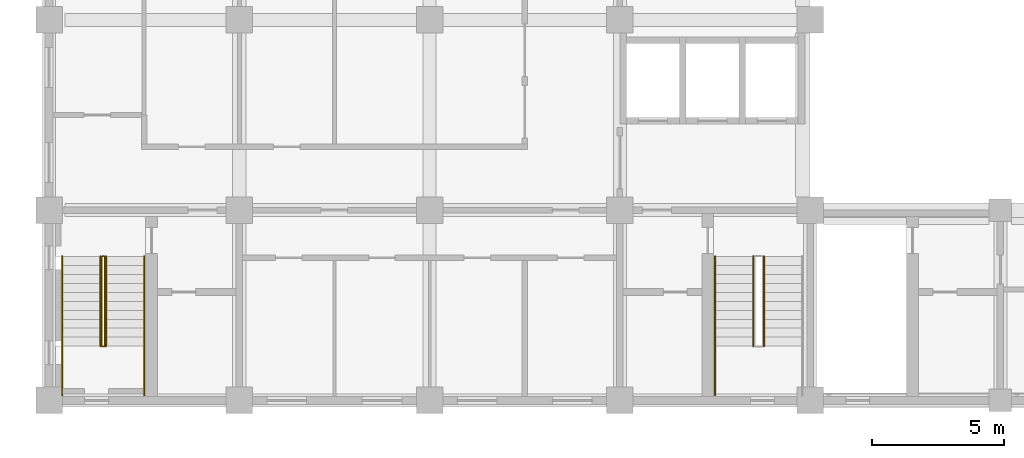
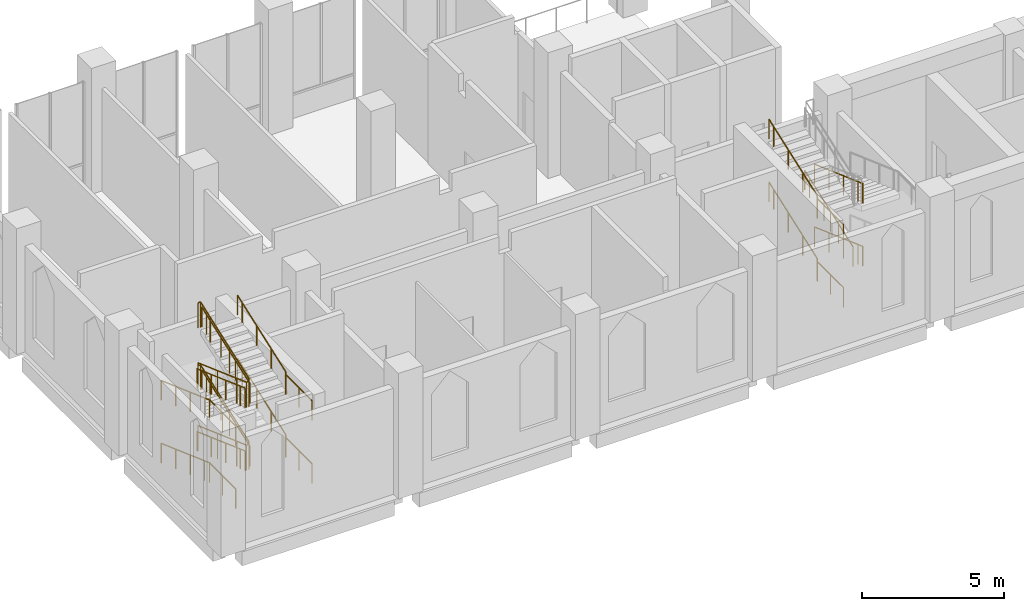
# One storey, part 44 of 48: 14 railings.
"""IFC4 building model written with IfcOpenShell, lengths in metres."""

from ifc_helpers import new_model, si_unit, direction, frame, origin, origin_2d, place, context, subcontext, project, spatial, circle, extrude, material, type_object, element, save


model = new_model("IFC4")

# Units and contexts
model_context = context("Model", 3, precision=1e-05, world=origin(), true_north=direction((0.0, 1.0)))
body_context = subcontext(model_context, "Body", "Model", "MODEL_VIEW")
ifc_project = project(units=[si_unit("LENGTHUNIT", "METRE"), si_unit("AREAUNIT", "SQUARE_METRE"), si_unit("VOLUMEUNIT", "CUBIC_METRE"), si_unit("PLANEANGLEUNIT", "RADIAN"), si_unit("MASSUNIT", "GRAM", prefix="KILO")], contexts=[model_context])

# Site, building, storey
site_placement = place(None, origin())
site = spatial("IfcSite", under=ifc_project, at=site_placement, CompositionType="ELEMENT")
building_placement = place(site_placement, origin())
building = spatial("IfcBuilding", under=site, at=building_placement, Name="Silangan Lancet Faculty of Sciences", CompositionType="ELEMENT")
storey_placement = place(building_placement, frame((0.0, 0.0, 6.0)))
storey = spatial("IfcBuildingStorey", under=building, at=storey_placement, Name="L01", CompositionType="ELEMENT", Elevation=6.0)

# Railings
ifc_material_1 = material(Name="Steel balustrade", Category="steel")
railing_type_1 = type_object("IfcRailingType", Name="STAIR GUARD 1100", PredefinedType="GUARDRAIL", material=ifc_material_1)
railing_1_placement = place(storey_placement, frame((2.0, 5.449951171875, 0.122802734375)))
element("IfcRailing", 1, at=railing_1_placement, inside=storey, type_object=railing_type_1, Name="GUARD-ST-A-L01", PredefinedType="GUARDRAIL", context=body_context, shape_type="SweptSolid", body=[
    extrude(circle(Radius=0.02392578125, at=origin_2d()), frame((0.0, 0.0, 1.076171875), z_axis=(0.0, -0.940611573742, 0.339484708555), x_axis=(1.0, 0.0, 0.0)), (0.0, 0.0, 1.0), 2.8916015625),
    extrude(circle(Radius=0.02392578125, at=origin_2d()), frame((0.0, -2.719970703125, 2.0576171875), z_axis=(0.0, -0.940520931127, 0.339735747474), x_axis=(1.0, 0.0, 0.0)), (0.0, 0.0, 1.0), 0.722900390625),
    extrude(circle(Radius=0.02392578125, at=origin_2d()), frame((0.0, -3.39990234375, 2.30322265625), z_axis=(1.0, 0.0, 0.0), x_axis=(0.0, 1.0, 0.0)), (0.0, 0.0, 1.0), 0.10009765625),
    extrude(circle(Radius=0.02392578125, at=origin_2d()), frame((0.10009765625, -3.39990234375, 2.30322265625), z_axis=(0.0, 0.0, 1.0), x_axis=(1.0, 0.0, 0.0)), (0.0, 0.0, 1.0), 0.12255859375),
    extrude(circle(Radius=0.02392578125, at=origin_2d()), frame((0.10009765625, -3.39990234375, 2.42578125), z_axis=(0.0, 0.940584611748, 0.339559402967), x_axis=(-1.0, 0.0, 0.0)), (0.0, 0.0, 1.0), 2.891845703125),
    extrude(circle(Radius=0.02392578125, at=origin_2d()), frame((0.10009765625, -0.679931640625, 3.40771484375), z_axis=(0.0, 0.940628803885, 0.339436965136), x_axis=(-1.0, 0.0, 0.0)), (0.0, 0.0, 1.0), 0.722900390625),
    extrude(circle(Radius=0.02392578125, at=origin_2d()), frame((0.10009765625, 0.0, 3.6533203125), z_axis=(-1.0, 0.0, 0.0), x_axis=(0.0, -1.0, 0.0)), (0.0, 0.0, 1.0), 0.10009765625),
    extrude(circle(Radius=0.02392578125, at=origin_2d()), frame((0.0, 0.0, 3.6533203125), z_axis=(0.0, 0.0, 1.0), x_axis=(1.0, 0.0, 0.0)), (0.0, 0.0, 1.0), 0.122802734375),
    extrude(circle(Radius=0.02392578125, at=origin_2d()), frame((0.0, 0.0, 3.77587890625), z_axis=(0.0, -0.940611573742, 0.339484708555), x_axis=(1.0, 0.0, 0.0)), (0.0, 0.0, 1.0), 2.8916015625),
    extrude(circle(Radius=0.02392578125, at=origin_2d()), frame((0.0, -2.719970703125, 4.7578125), z_axis=(0.0, -0.940520931127, 0.339735747474), x_axis=(1.0, 0.0, 0.0)), (0.0, 0.0, 1.0), 0.722900390625),
    extrude(circle(Radius=0.02392578125, at=origin_2d()), frame((0.0, -3.39990234375, 5.00341796875), z_axis=(1.0, 0.0, 0.0), x_axis=(0.0, 1.0, 0.0)), (0.0, 0.0, 1.0), 0.10009765625),
    extrude(circle(Radius=0.02392578125, at=origin_2d()), frame((0.10009765625, -3.39990234375, 5.00341796875), z_axis=(0.0, 0.0, 1.0), x_axis=(1.0, 0.0, 0.0)), (0.0, 0.0, 1.0), 0.12255859375),
    extrude(circle(Radius=0.02392578125, at=origin_2d()), frame((0.10009765625, -3.39990234375, 5.1259765625), z_axis=(0.0, 0.940584611748, 0.339559402967), x_axis=(-1.0, 0.0, 0.0)), (0.0, 0.0, 1.0), 2.891845703125),
    extrude(circle(Radius=0.02392578125, at=origin_2d()), frame((0.10009765625, -0.679931640625, 6.10791015625), z_axis=(0.0, 0.940628803885, 0.339436965136), x_axis=(-1.0, 0.0, 0.0)), (0.0, 0.0, 1.0), 0.722900390625),
    extrude(circle(Radius=0.02392578125, at=origin_2d()), frame((0.10009765625, 0.0, 6.35302734375), z_axis=(-1.0, 0.0, 0.0), x_axis=(0.0, -1.0, 0.0)), (0.0, 0.0, 1.0), 0.10009765625),
    extrude(circle(Radius=0.02099609375, at=origin_2d()), origin(), (0.0, 0.0, 1.0), 1.052001953125),
    extrude(circle(Radius=0.02099609375, at=origin_2d()), frame((0.0, -1.35986328125, 0.49072265625)), (0.0, 0.0, 1.0), 1.052001953125),
    extrude(circle(Radius=0.02099609375, at=origin_2d()), frame((0.0, -2.719970703125, 0.981689453125)), (0.0, 0.0, 1.0), 1.052001953125),
    extrude(circle(Radius=0.02099609375, at=origin_2d()), frame((0.0, -3.39990234375, 1.227294921875)), (0.0, 0.0, 1.0), 1.052001953125),
    extrude(circle(Radius=0.02099609375, at=origin_2d()), frame((0.10009765625, -3.39990234375, 1.227294921875)), (0.0, 0.0, 1.0), 1.052001953125),
    extrude(circle(Radius=0.02099609375, at=origin_2d()), frame((0.10009765625, -3.39990234375, 1.349853515625)), (0.0, 0.0, 1.0), 1.052001953125),
    extrude(circle(Radius=0.02099609375, at=origin_2d()), frame((0.10009765625, -2.0400390625, 1.8408203125)), (0.0, 0.0, 1.0), 1.052001953125),
    extrude(circle(Radius=0.02099609375, at=origin_2d()), frame((0.10009765625, -0.679931640625, 2.331787109375)), (0.0, 0.0, 1.0), 1.052001953125),
    extrude(circle(Radius=0.02099609375, at=origin_2d()), frame((0.10009765625, 0.0, 2.5771484375)), (0.0, 0.0, 1.0), 1.052001953125),
    extrude(circle(Radius=0.02099609375, at=origin_2d()), frame((0.0, 0.0, 2.5771484375)), (0.0, 0.0, 1.0), 1.052001953125),
    extrude(circle(Radius=0.02099609375, at=origin_2d()), frame((0.0, 0.0, 2.699951171875)), (0.0, 0.0, 1.0), 1.052001953125),
    extrude(circle(Radius=0.02099609375, at=origin_2d()), frame((0.0, -1.35986328125, 3.19091796875)), (0.0, 0.0, 1.0), 1.052001953125),
    extrude(circle(Radius=0.02099609375, at=origin_2d()), frame((0.0, -2.719970703125, 3.681640625)), (0.0, 0.0, 1.0), 1.052001953125),
    extrude(circle(Radius=0.02099609375, at=origin_2d()), frame((0.0, -3.39990234375, 3.92724609375)), (0.0, 0.0, 1.0), 1.052001953125),
    extrude(circle(Radius=0.02099609375, at=origin_2d()), frame((0.10009765625, -3.39990234375, 3.92724609375)), (0.0, 0.0, 1.0), 1.052001953125),
    extrude(circle(Radius=0.02099609375, at=origin_2d()), frame((0.10009765625, -3.39990234375, 4.0498046875)), (0.0, 0.0, 1.0), 1.052001953125),
    extrude(circle(Radius=0.02099609375, at=origin_2d()), frame((0.10009765625, -2.0400390625, 4.540771484375)), (0.0, 0.0, 1.0), 1.052001953125),
    extrude(circle(Radius=0.02099609375, at=origin_2d()), frame((0.10009765625, -0.679931640625, 5.03173828125)), (0.0, 0.0, 1.0), 1.052001953125),
    extrude(circle(Radius=0.02099609375, at=origin_2d()), frame((0.10009765625, 0.0, 5.277099609375)), (0.0, 0.0, 1.0), 1.052001953125),
    extrude(circle(Radius=0.02099609375, at=origin_2d()), frame((0.0, 0.0, 5.277099609375)), (0.0, 0.0, 1.0), 1.052001953125),
])
ifc_material_2 = material(Name="Stainless steel", Category="steel")
railing_type_2 = type_object("IfcRailingType", Name="STAIR HANDRAIL 865", PredefinedType="HANDRAIL", material=ifc_material_2)
railing_2_placement = place(storey_placement, frame((0.5, 5.449951171875, 0.122802734375)))
element("IfcRailing", 2, at=railing_2_placement, inside=storey, type_object=railing_type_2, Name="HANDRAIL-ST-A-L01-O1", PredefinedType="HANDRAIL", context=body_context, shape_type="SweptSolid", body=[
    extrude(circle(Radius=0.02392578125, at=origin_2d()), frame((0.0, 0.0, 0.8408203125), z_axis=(0.0, -0.94060583065, 0.339500620541), x_axis=(1.0, 0.0, 0.0)), (0.0, 0.0, 1.0), 1.08447265625),
    extrude(circle(Radius=0.02392578125, at=origin_2d()), frame((0.0, -1.02001953125, 1.208984375), z_axis=(0.0, -0.94060583065, 0.339500620541), x_axis=(1.0, 0.0, 0.0)), (0.0, 0.0, 1.0), 1.08447265625),
    extrude(circle(Radius=0.02392578125, at=origin_2d()), frame((0.0, -2.0400390625, 1.5771484375), z_axis=(0.0, -0.94060583065, 0.339500620541), x_axis=(1.0, 0.0, 0.0)), (0.0, 0.0, 1.0), 1.08447265625),
    extrude(circle(Radius=0.02392578125, at=origin_2d()), frame((0.0, -3.06005859375, 1.9453125), z_axis=(0.0, -0.940481933992, 0.339843687355), x_axis=(1.0, 0.0, 0.0)), (0.0, 0.0, 1.0), 0.361328125),
    extrude(circle(Radius=0.02392578125, at=origin_2d()), frame((0.0, -3.39990234375, 2.068359375), z_axis=(0.0, -1.0, 0.0), x_axis=(1.0, 0.0, 0.0)), (0.0, 0.0, 1.0), 1.85009765625),
    extrude(circle(Radius=0.02099609375, at=origin_2d()), origin(), (0.0, 0.0, 1.0), 0.81689453125),
    extrude(circle(Radius=0.02099609375, at=origin_2d()), frame((0.0, -1.02001953125, 0.3681640625)), (0.0, 0.0, 1.0), 0.81689453125),
    extrude(circle(Radius=0.02099609375, at=origin_2d()), frame((0.0, -2.0400390625, 0.736328125)), (0.0, 0.0, 1.0), 0.81689453125),
    extrude(circle(Radius=0.02099609375, at=origin_2d()), frame((0.0, -3.06005859375, 1.1044921875)), (0.0, 0.0, 1.0), 0.81689453125),
    extrude(circle(Radius=0.02099609375, at=origin_2d()), frame((0.0, -3.39990234375, 1.227294921875)), (0.0, 0.0, 1.0), 0.81689453125),
    extrude(circle(Radius=0.02099609375, at=origin_2d()), frame((0.0, -4.324951171875, 1.227294921875)), (0.0, 0.0, 1.0), 0.81689453125),
    extrude(circle(Radius=0.02099609375, at=origin_2d()), frame((0.0, -5.25, 1.227294921875)), (0.0, 0.0, 1.0), 0.81689453125),
])
railing_3_placement = place(storey_placement, frame((1.949951171875, 5.449951171875, 0.122802734375)))
element("IfcRailing", 3, at=railing_3_placement, inside=storey, type_object=railing_type_2, Name="HANDRAIL-ST-A-L01-I1", PredefinedType="HANDRAIL", context=body_context, shape_type="SweptSolid", body=[
    extrude(circle(Radius=0.02392578125, at=origin_2d()), frame((0.0, 0.0, 0.8408203125), z_axis=(0.0, -0.94060583065, 0.339500620541), x_axis=(1.0, 0.0, 0.0)), (0.0, 0.0, 1.0), 1.08447265625),
    extrude(circle(Radius=0.02392578125, at=origin_2d()), frame((0.0, -1.02001953125, 1.208984375), z_axis=(0.0, -0.94060583065, 0.339500620541), x_axis=(1.0, 0.0, 0.0)), (0.0, 0.0, 1.0), 1.08447265625),
    extrude(circle(Radius=0.02392578125, at=origin_2d()), frame((0.0, -2.0400390625, 1.5771484375), z_axis=(0.0, -0.94060583065, 0.339500620541), x_axis=(1.0, 0.0, 0.0)), (0.0, 0.0, 1.0), 1.08447265625),
    extrude(circle(Radius=0.02392578125, at=origin_2d()), frame((0.0, -3.06005859375, 1.9453125), z_axis=(0.0, -0.940481933992, 0.339843687355), x_axis=(1.0, 0.0, 0.0)), (0.0, 0.0, 1.0), 0.361328125),
    extrude(circle(Radius=0.02099609375, at=origin_2d()), origin(), (0.0, 0.0, 1.0), 0.81689453125),
    extrude(circle(Radius=0.02099609375, at=origin_2d()), frame((0.0, -1.02001953125, 0.3681640625)), (0.0, 0.0, 1.0), 0.81689453125),
    extrude(circle(Radius=0.02099609375, at=origin_2d()), frame((0.0, -2.0400390625, 0.736328125)), (0.0, 0.0, 1.0), 0.81689453125),
    extrude(circle(Radius=0.02099609375, at=origin_2d()), frame((0.0, -3.06005859375, 1.1044921875)), (0.0, 0.0, 1.0), 0.81689453125),
    extrude(circle(Radius=0.02099609375, at=origin_2d()), frame((0.0, -3.39990234375, 1.227294921875)), (0.0, 0.0, 1.0), 0.81689453125),
])
railing_4_placement = place(storey_placement, frame((3.60009765625, 0.199951171875, 1.35009765625)))
element("IfcRailing", 4, at=railing_4_placement, inside=storey, type_object=railing_type_2, Name="HANDRAIL-ST-A-L01-O2", PredefinedType="HANDRAIL", context=body_context, shape_type="SweptSolid", body=[
    extrude(circle(Radius=0.02392578125, at=origin_2d()), frame((0.0, 0.0, 0.8408203125), z_axis=(0.0, 1.0, 0.0), x_axis=(-1.0, 0.0, 0.0)), (0.0, 0.0, 1.0), 1.85009765625),
    extrude(circle(Radius=0.02392578125, at=origin_2d()), frame((0.0, 1.85009765625, 0.8408203125), z_axis=(0.0, 0.0, 1.0), x_axis=(1.0, 0.0, 0.0)), (0.0, 0.0, 1.0), 0.12255859375),
    extrude(circle(Radius=0.02392578125, at=origin_2d()), frame((0.0, 1.85009765625, 0.96337890625), z_axis=(0.0, 0.94060583065, 0.339500620541), x_axis=(-1.0, 0.0, 0.0)), (0.0, 0.0, 1.0), 1.08447265625),
    extrude(circle(Radius=0.02392578125, at=origin_2d()), frame((0.0, 2.8701171875, 1.33154296875), z_axis=(0.0, 0.94060583065, 0.339500620541), x_axis=(-1.0, 0.0, 0.0)), (0.0, 0.0, 1.0), 1.08447265625),
    extrude(circle(Radius=0.02392578125, at=origin_2d()), frame((0.0, 3.89013671875, 1.69970703125), z_axis=(0.0, 0.940533921917, 0.339699781755), x_axis=(-1.0, 0.0, 0.0)), (0.0, 0.0, 1.0), 1.08447265625),
    extrude(circle(Radius=0.02392578125, at=origin_2d()), frame((0.0, 4.91015625, 2.068359375), z_axis=(0.0, 0.940697737464, 0.339245879459), x_axis=(-1.0, 0.0, 0.0)), (0.0, 0.0, 1.0), 0.361328125),
    extrude(circle(Radius=0.02099609375, at=origin_2d()), origin(), (0.0, 0.0, 1.0), 0.81689453125),
    extrude(circle(Radius=0.02099609375, at=origin_2d()), frame((0.0, 0.925048828125, 0.0)), (0.0, 0.0, 1.0), 0.81689453125),
    extrude(circle(Radius=0.02099609375, at=origin_2d()), frame((0.0, 1.85009765625, 0.0)), (0.0, 0.0, 1.0), 0.81689453125),
    extrude(circle(Radius=0.02099609375, at=origin_2d()), frame((0.0, 1.85009765625, 0.12255859375)), (0.0, 0.0, 1.0), 0.81689453125),
    extrude(circle(Radius=0.02099609375, at=origin_2d()), frame((0.0, 2.8701171875, 0.49072265625)), (0.0, 0.0, 1.0), 0.81689453125),
    extrude(circle(Radius=0.02099609375, at=origin_2d()), frame((0.0, 3.89013671875, 0.85888671875)), (0.0, 0.0, 1.0), 0.81689453125),
    extrude(circle(Radius=0.02099609375, at=origin_2d()), frame((0.0, 4.91015625, 1.227294921875)), (0.0, 0.0, 1.0), 0.81689453125),
    extrude(circle(Radius=0.02099609375, at=origin_2d()), frame((0.0, 5.25, 1.349853515625)), (0.0, 0.0, 1.0), 0.81689453125),
])
railing_5_placement = place(storey_placement, frame((2.14990234375, 2.050048828125, 1.47265625)))
element("IfcRailing", 5, at=railing_5_placement, inside=storey, type_object=railing_type_2, Name="HANDRAIL-ST-A-L01-I2", PredefinedType="HANDRAIL", context=body_context, shape_type="SweptSolid", body=[
    extrude(circle(Radius=0.02392578125, at=origin_2d()), frame((0.0, 0.0, 0.8408203125), z_axis=(0.0, 0.94060583065, 0.339500620541), x_axis=(-1.0, 0.0, 0.0)), (0.0, 0.0, 1.0), 1.08447265625),
    extrude(circle(Radius=0.02392578125, at=origin_2d()), frame((0.0, 1.02001953125, 1.208984375), z_axis=(0.0, 0.94060583065, 0.339500620541), x_axis=(-1.0, 0.0, 0.0)), (0.0, 0.0, 1.0), 1.08447265625),
    extrude(circle(Radius=0.02392578125, at=origin_2d()), frame((0.0, 2.0400390625, 1.5771484375), z_axis=(0.0, 0.940533921917, 0.339699781755), x_axis=(-1.0, 0.0, 0.0)), (0.0, 0.0, 1.0), 1.08447265625),
    extrude(circle(Radius=0.02392578125, at=origin_2d()), frame((0.0, 3.06005859375, 1.94580078125), z_axis=(0.0, 0.940697737464, 0.339245879459), x_axis=(-1.0, 0.0, 0.0)), (0.0, 0.0, 1.0), 0.361328125),
    extrude(circle(Radius=0.02099609375, at=origin_2d()), origin(), (0.0, 0.0, 1.0), 0.81689453125),
    extrude(circle(Radius=0.02099609375, at=origin_2d()), frame((0.0, 1.02001953125, 0.3681640625)), (0.0, 0.0, 1.0), 0.81689453125),
    extrude(circle(Radius=0.02099609375, at=origin_2d()), frame((0.0, 2.0400390625, 0.736328125)), (0.0, 0.0, 1.0), 0.81689453125),
    extrude(circle(Radius=0.02099609375, at=origin_2d()), frame((0.0, 3.06005859375, 1.104736328125)), (0.0, 0.0, 1.0), 0.81689453125),
    extrude(circle(Radius=0.02099609375, at=origin_2d()), frame((0.0, 3.39990234375, 1.227294921875)), (0.0, 0.0, 1.0), 0.81689453125),
])
railing_6_placement = place(storey_placement, frame((0.5, 5.449951171875, 2.82275390625)))
element("IfcRailing", 6, at=railing_6_placement, inside=storey, type_object=railing_type_2, Name="HANDRAIL-ST-A-L01-O3", PredefinedType="HANDRAIL", context=body_context, shape_type="SweptSolid", body=[
    extrude(circle(Radius=0.02392578125, at=origin_2d()), frame((0.0, 0.0, 0.8408203125), z_axis=(0.0, -0.94060583065, 0.339500620541), x_axis=(1.0, 0.0, 0.0)), (0.0, 0.0, 1.0), 1.08447265625),
    extrude(circle(Radius=0.02392578125, at=origin_2d()), frame((0.0, -1.02001953125, 1.208984375), z_axis=(0.0, -0.94060583065, 0.339500620541), x_axis=(1.0, 0.0, 0.0)), (0.0, 0.0, 1.0), 1.08447265625),
    extrude(circle(Radius=0.02392578125, at=origin_2d()), frame((0.0, -2.0400390625, 1.5771484375), z_axis=(0.0, -0.94060583065, 0.339500620541), x_axis=(1.0, 0.0, 0.0)), (0.0, 0.0, 1.0), 1.08447265625),
    extrude(circle(Radius=0.02392578125, at=origin_2d()), frame((0.0, -3.06005859375, 1.9453125), z_axis=(0.0, -0.940481933992, 0.339843687355), x_axis=(1.0, 0.0, 0.0)), (0.0, 0.0, 1.0), 0.361328125),
    extrude(circle(Radius=0.02392578125, at=origin_2d()), frame((0.0, -3.39990234375, 2.068359375), z_axis=(0.0, -1.0, 0.0), x_axis=(1.0, 0.0, 0.0)), (0.0, 0.0, 1.0), 1.85009765625),
    extrude(circle(Radius=0.02099609375, at=origin_2d()), origin(), (0.0, 0.0, 1.0), 0.81689453125),
    extrude(circle(Radius=0.02099609375, at=origin_2d()), frame((0.0, -1.02001953125, 0.3681640625)), (0.0, 0.0, 1.0), 0.81689453125),
    extrude(circle(Radius=0.02099609375, at=origin_2d()), frame((0.0, -2.0400390625, 0.736328125)), (0.0, 0.0, 1.0), 0.81689453125),
    extrude(circle(Radius=0.02099609375, at=origin_2d()), frame((0.0, -3.06005859375, 1.1044921875)), (0.0, 0.0, 1.0), 0.81689453125),
    extrude(circle(Radius=0.02099609375, at=origin_2d()), frame((0.0, -3.39990234375, 1.227294921875)), (0.0, 0.0, 1.0), 0.81689453125),
    extrude(circle(Radius=0.02099609375, at=origin_2d()), frame((0.0, -4.324951171875, 1.227294921875)), (0.0, 0.0, 1.0), 0.81689453125),
    extrude(circle(Radius=0.02099609375, at=origin_2d()), frame((0.0, -5.25, 1.227294921875)), (0.0, 0.0, 1.0), 0.81689453125),
])
railing_7_placement = place(storey_placement, frame((1.949951171875, 5.449951171875, 2.82275390625)))
element("IfcRailing", 7, at=railing_7_placement, inside=storey, type_object=railing_type_2, Name="HANDRAIL-ST-A-L01-I3", PredefinedType="HANDRAIL", context=body_context, shape_type="SweptSolid", body=[
    extrude(circle(Radius=0.02392578125, at=origin_2d()), frame((0.0, 0.0, 0.8408203125), z_axis=(0.0, -0.94060583065, 0.339500620541), x_axis=(1.0, 0.0, 0.0)), (0.0, 0.0, 1.0), 1.08447265625),
    extrude(circle(Radius=0.02392578125, at=origin_2d()), frame((0.0, -1.02001953125, 1.208984375), z_axis=(0.0, -0.94060583065, 0.339500620541), x_axis=(1.0, 0.0, 0.0)), (0.0, 0.0, 1.0), 1.08447265625),
    extrude(circle(Radius=0.02392578125, at=origin_2d()), frame((0.0, -2.0400390625, 1.5771484375), z_axis=(0.0, -0.94060583065, 0.339500620541), x_axis=(1.0, 0.0, 0.0)), (0.0, 0.0, 1.0), 1.08447265625),
    extrude(circle(Radius=0.02392578125, at=origin_2d()), frame((0.0, -3.06005859375, 1.9453125), z_axis=(0.0, -0.940481933992, 0.339843687355), x_axis=(1.0, 0.0, 0.0)), (0.0, 0.0, 1.0), 0.361328125),
    extrude(circle(Radius=0.02099609375, at=origin_2d()), origin(), (0.0, 0.0, 1.0), 0.81689453125),
    extrude(circle(Radius=0.02099609375, at=origin_2d()), frame((0.0, -1.02001953125, 0.3681640625)), (0.0, 0.0, 1.0), 0.81689453125),
    extrude(circle(Radius=0.02099609375, at=origin_2d()), frame((0.0, -2.0400390625, 0.736328125)), (0.0, 0.0, 1.0), 0.81689453125),
    extrude(circle(Radius=0.02099609375, at=origin_2d()), frame((0.0, -3.06005859375, 1.1044921875)), (0.0, 0.0, 1.0), 0.81689453125),
    extrude(circle(Radius=0.02099609375, at=origin_2d()), frame((0.0, -3.39990234375, 1.227294921875)), (0.0, 0.0, 1.0), 0.81689453125),
])
railing_8_placement = place(storey_placement, frame((3.60009765625, 0.199951171875, 4.050048828125)))
element("IfcRailing", 8, at=railing_8_placement, inside=storey, type_object=railing_type_2, Name="HANDRAIL-ST-A-L01-O4", PredefinedType="HANDRAIL", context=body_context, shape_type="SweptSolid", body=[
    extrude(circle(Radius=0.02392578125, at=origin_2d()), frame((0.0, 0.0, 0.8408203125), z_axis=(0.0, 1.0, 0.0), x_axis=(-1.0, 0.0, 0.0)), (0.0, 0.0, 1.0), 1.85009765625),
    extrude(circle(Radius=0.02392578125, at=origin_2d()), frame((0.0, 1.85009765625, 0.8408203125), z_axis=(0.0, 0.0, 1.0), x_axis=(1.0, 0.0, 0.0)), (0.0, 0.0, 1.0), 0.12255859375),
    extrude(circle(Radius=0.02392578125, at=origin_2d()), frame((0.0, 1.85009765625, 0.96337890625), z_axis=(0.0, 0.940533921917, 0.339699781755), x_axis=(-1.0, 0.0, 0.0)), (0.0, 0.0, 1.0), 1.08447265625),
    extrude(circle(Radius=0.02392578125, at=origin_2d()), frame((0.0, 2.8701171875, 1.33203125), z_axis=(0.0, 0.94060583065, 0.339500620541), x_axis=(-1.0, 0.0, 0.0)), (0.0, 0.0, 1.0), 1.08447265625),
    extrude(circle(Radius=0.02392578125, at=origin_2d()), frame((0.0, 3.89013671875, 1.7001953125), z_axis=(0.0, 0.94060583065, 0.339500620541), x_axis=(-1.0, 0.0, 0.0)), (0.0, 0.0, 1.0), 1.08447265625),
    extrude(circle(Radius=0.02392578125, at=origin_2d()), frame((0.0, 4.91015625, 2.068359375), z_axis=(0.0, 0.940697737464, 0.339245879459), x_axis=(-1.0, 0.0, 0.0)), (0.0, 0.0, 1.0), 0.361328125),
    extrude(circle(Radius=0.02099609375, at=origin_2d()), origin(), (0.0, 0.0, 1.0), 0.81689453125),
    extrude(circle(Radius=0.02099609375, at=origin_2d()), frame((0.0, 0.925048828125, 0.0)), (0.0, 0.0, 1.0), 0.81689453125),
    extrude(circle(Radius=0.02099609375, at=origin_2d()), frame((0.0, 1.85009765625, 0.0)), (0.0, 0.0, 1.0), 0.81689453125),
    extrude(circle(Radius=0.02099609375, at=origin_2d()), frame((0.0, 1.85009765625, 0.12255859375)), (0.0, 0.0, 1.0), 0.81689453125),
    extrude(circle(Radius=0.02099609375, at=origin_2d()), frame((0.0, 2.8701171875, 0.490966796875)), (0.0, 0.0, 1.0), 0.81689453125),
    extrude(circle(Radius=0.02099609375, at=origin_2d()), frame((0.0, 3.89013671875, 0.859130859375)), (0.0, 0.0, 1.0), 0.81689453125),
    extrude(circle(Radius=0.02099609375, at=origin_2d()), frame((0.0, 4.91015625, 1.227294921875)), (0.0, 0.0, 1.0), 0.81689453125),
    extrude(circle(Radius=0.02099609375, at=origin_2d()), frame((0.0, 5.25, 1.349853515625)), (0.0, 0.0, 1.0), 0.81689453125),
])
railing_9_placement = place(storey_placement, frame((2.14990234375, 2.050048828125, 4.172607421875)))
element("IfcRailing", 9, at=railing_9_placement, inside=storey, type_object=railing_type_2, Name="HANDRAIL-ST-A-L01-I4", PredefinedType="HANDRAIL", context=body_context, shape_type="SweptSolid", body=[
    extrude(circle(Radius=0.02392578125, at=origin_2d()), frame((0.0, 0.0, 0.8408203125), z_axis=(0.0, 0.940533921917, 0.339699781755), x_axis=(-1.0, 0.0, 0.0)), (0.0, 0.0, 1.0), 1.08447265625),
    extrude(circle(Radius=0.02392578125, at=origin_2d()), frame((0.0, 1.02001953125, 1.20947265625), z_axis=(0.0, 0.94060583065, 0.339500620541), x_axis=(-1.0, 0.0, 0.0)), (0.0, 0.0, 1.0), 1.08447265625),
    extrude(circle(Radius=0.02392578125, at=origin_2d()), frame((0.0, 2.0400390625, 1.57763671875), z_axis=(0.0, 0.94060583065, 0.339500620541), x_axis=(-1.0, 0.0, 0.0)), (0.0, 0.0, 1.0), 1.08447265625),
    extrude(circle(Radius=0.02392578125, at=origin_2d()), frame((0.0, 3.06005859375, 1.94580078125), z_axis=(0.0, 0.940697737464, 0.339245879459), x_axis=(-1.0, 0.0, 0.0)), (0.0, 0.0, 1.0), 0.361328125),
    extrude(circle(Radius=0.02099609375, at=origin_2d()), origin(), (0.0, 0.0, 1.0), 0.81689453125),
    extrude(circle(Radius=0.02099609375, at=origin_2d()), frame((0.0, 1.02001953125, 0.368408203125)), (0.0, 0.0, 1.0), 0.81689453125),
    extrude(circle(Radius=0.02099609375, at=origin_2d()), frame((0.0, 2.0400390625, 0.736572265625)), (0.0, 0.0, 1.0), 0.81689453125),
    extrude(circle(Radius=0.02099609375, at=origin_2d()), frame((0.0, 3.06005859375, 1.104736328125)), (0.0, 0.0, 1.0), 0.81689453125),
    extrude(circle(Radius=0.02099609375, at=origin_2d()), frame((0.0, 3.39990234375, 1.227294921875)), (0.0, 0.0, 1.0), 0.81689453125),
])
railing_10_placement = place(storey_placement, frame((27.050048828125, 5.449951171875, 0.122802734375)))
element("IfcRailing", 10, at=railing_10_placement, inside=storey, type_object=railing_type_2, Name="HANDRAIL-ST-B-L01-I1", PredefinedType="HANDRAIL", context=body_context, shape_type="SweptSolid", body=[
    extrude(circle(Radius=0.02392578125, at=origin_2d()), frame((0.0, 0.0, 0.8408203125), z_axis=(0.0, -0.94060583065, 0.339500620541), x_axis=(1.0, 0.0, 0.0)), (0.0, 0.0, 1.0), 1.08447265625),
    extrude(circle(Radius=0.02392578125, at=origin_2d()), frame((0.0, -1.02001953125, 1.208984375), z_axis=(0.0, -0.94060583065, 0.339500620541), x_axis=(1.0, 0.0, 0.0)), (0.0, 0.0, 1.0), 1.08447265625),
    extrude(circle(Radius=0.02392578125, at=origin_2d()), frame((0.0, -2.0400390625, 1.5771484375), z_axis=(0.0, -0.94060583065, 0.339500620541), x_axis=(1.0, 0.0, 0.0)), (0.0, 0.0, 1.0), 1.08447265625),
    extrude(circle(Radius=0.02392578125, at=origin_2d()), frame((0.0, -3.06005859375, 1.9453125), z_axis=(0.0, -0.940481933992, 0.339843687355), x_axis=(1.0, 0.0, 0.0)), (0.0, 0.0, 1.0), 0.361328125),
    extrude(circle(Radius=0.02099609375, at=origin_2d()), origin(), (0.0, 0.0, 1.0), 0.81689453125),
    extrude(circle(Radius=0.02099609375, at=origin_2d()), frame((0.0, -1.02001953125, 0.3681640625)), (0.0, 0.0, 1.0), 0.81689453125),
    extrude(circle(Radius=0.02099609375, at=origin_2d()), frame((0.0, -2.0400390625, 0.736328125)), (0.0, 0.0, 1.0), 0.81689453125),
    extrude(circle(Radius=0.02099609375, at=origin_2d()), frame((0.0, -3.06005859375, 1.1044921875)), (0.0, 0.0, 1.0), 0.81689453125),
    extrude(circle(Radius=0.02099609375, at=origin_2d()), frame((0.0, -3.39990234375, 1.227294921875)), (0.0, 0.0, 1.0), 0.81689453125),
])
railing_11_placement = place(storey_placement, frame((25.199951171875, 0.199951171875, 1.35009765625)))
element("IfcRailing", 11, at=railing_11_placement, inside=storey, type_object=railing_type_2, Name="HANDRAIL-ST-B-L01-O2", PredefinedType="HANDRAIL", context=body_context, shape_type="SweptSolid", body=[
    extrude(circle(Radius=0.02392578125, at=origin_2d()), frame((0.0, 0.0, 0.8408203125), z_axis=(0.0, 1.0, 0.0), x_axis=(-1.0, 0.0, 0.0)), (0.0, 0.0, 1.0), 1.85009765625),
    extrude(circle(Radius=0.02392578125, at=origin_2d()), frame((0.0, 1.85009765625, 0.8408203125), z_axis=(0.0, 0.0, 1.0), x_axis=(1.0, 0.0, 0.0)), (0.0, 0.0, 1.0), 0.12255859375),
    extrude(circle(Radius=0.02392578125, at=origin_2d()), frame((0.0, 1.85009765625, 0.96337890625), z_axis=(0.0, 0.94060583065, 0.339500620541), x_axis=(-1.0, 0.0, 0.0)), (0.0, 0.0, 1.0), 1.08447265625),
    extrude(circle(Radius=0.02392578125, at=origin_2d()), frame((0.0, 2.8701171875, 1.33154296875), z_axis=(0.0, 0.94060583065, 0.339500620541), x_axis=(-1.0, 0.0, 0.0)), (0.0, 0.0, 1.0), 1.08447265625),
    extrude(circle(Radius=0.02392578125, at=origin_2d()), frame((0.0, 3.89013671875, 1.69970703125), z_axis=(0.0, 0.940533921917, 0.339699781755), x_axis=(-1.0, 0.0, 0.0)), (0.0, 0.0, 1.0), 1.08447265625),
    extrude(circle(Radius=0.02392578125, at=origin_2d()), frame((0.0, 4.91015625, 2.068359375), z_axis=(0.0, 0.940697737464, 0.339245879459), x_axis=(-1.0, 0.0, 0.0)), (0.0, 0.0, 1.0), 0.361328125),
    extrude(circle(Radius=0.02099609375, at=origin_2d()), origin(), (0.0, 0.0, 1.0), 0.81689453125),
    extrude(circle(Radius=0.02099609375, at=origin_2d()), frame((0.0, 0.925048828125, 0.0)), (0.0, 0.0, 1.0), 0.81689453125),
    extrude(circle(Radius=0.02099609375, at=origin_2d()), frame((0.0, 1.85009765625, 0.0)), (0.0, 0.0, 1.0), 0.81689453125),
    extrude(circle(Radius=0.02099609375, at=origin_2d()), frame((0.0, 1.85009765625, 0.12255859375)), (0.0, 0.0, 1.0), 0.81689453125),
    extrude(circle(Radius=0.02099609375, at=origin_2d()), frame((0.0, 2.8701171875, 0.49072265625)), (0.0, 0.0, 1.0), 0.81689453125),
    extrude(circle(Radius=0.02099609375, at=origin_2d()), frame((0.0, 3.89013671875, 0.85888671875)), (0.0, 0.0, 1.0), 0.81689453125),
    extrude(circle(Radius=0.02099609375, at=origin_2d()), frame((0.0, 4.91015625, 1.227294921875)), (0.0, 0.0, 1.0), 0.81689453125),
    extrude(circle(Radius=0.02099609375, at=origin_2d()), frame((0.0, 5.25, 1.349853515625)), (0.0, 0.0, 1.0), 0.81689453125),
])
railing_12_placement = place(storey_placement, frame((26.64990234375, 2.050048828125, 1.47265625)))
element("IfcRailing", 12, at=railing_12_placement, inside=storey, type_object=railing_type_2, Name="HANDRAIL-ST-B-L01-I2", PredefinedType="HANDRAIL", context=body_context, shape_type="SweptSolid", body=[
    extrude(circle(Radius=0.02392578125, at=origin_2d()), frame((0.0, 0.0, 0.8408203125), z_axis=(0.0, 0.94060583065, 0.339500620541), x_axis=(-1.0, 0.0, 0.0)), (0.0, 0.0, 1.0), 1.08447265625),
    extrude(circle(Radius=0.02392578125, at=origin_2d()), frame((0.0, 1.02001953125, 1.208984375), z_axis=(0.0, 0.94060583065, 0.339500620541), x_axis=(-1.0, 0.0, 0.0)), (0.0, 0.0, 1.0), 1.08447265625),
    extrude(circle(Radius=0.02392578125, at=origin_2d()), frame((0.0, 2.0400390625, 1.5771484375), z_axis=(0.0, 0.940533921917, 0.339699781755), x_axis=(-1.0, 0.0, 0.0)), (0.0, 0.0, 1.0), 1.08447265625),
    extrude(circle(Radius=0.02392578125, at=origin_2d()), frame((0.0, 3.06005859375, 1.94580078125), z_axis=(0.0, 0.940697737464, 0.339245879459), x_axis=(-1.0, 0.0, 0.0)), (0.0, 0.0, 1.0), 0.361328125),
    extrude(circle(Radius=0.02099609375, at=origin_2d()), origin(), (0.0, 0.0, 1.0), 0.81689453125),
    extrude(circle(Radius=0.02099609375, at=origin_2d()), frame((0.0, 1.02001953125, 0.3681640625)), (0.0, 0.0, 1.0), 0.81689453125),
    extrude(circle(Radius=0.02099609375, at=origin_2d()), frame((0.0, 2.0400390625, 0.736328125)), (0.0, 0.0, 1.0), 0.81689453125),
    extrude(circle(Radius=0.02099609375, at=origin_2d()), frame((0.0, 3.06005859375, 1.104736328125)), (0.0, 0.0, 1.0), 0.81689453125),
    extrude(circle(Radius=0.02099609375, at=origin_2d()), frame((0.0, 3.39990234375, 1.227294921875)), (0.0, 0.0, 1.0), 0.81689453125),
])
railing_13_placement = place(storey_placement, frame((27.050048828125, 5.449951171875, 2.82275390625)))
element("IfcRailing", 13, at=railing_13_placement, inside=storey, type_object=railing_type_2, Name="HANDRAIL-ST-B-L01-I3", PredefinedType="HANDRAIL", context=body_context, shape_type="SweptSolid", body=[
    extrude(circle(Radius=0.02392578125, at=origin_2d()), frame((0.0, 0.0, 0.8408203125), z_axis=(0.0, -0.94060583065, 0.339500620541), x_axis=(1.0, 0.0, 0.0)), (0.0, 0.0, 1.0), 1.08447265625),
    extrude(circle(Radius=0.02392578125, at=origin_2d()), frame((0.0, -1.02001953125, 1.208984375), z_axis=(0.0, -0.94060583065, 0.339500620541), x_axis=(1.0, 0.0, 0.0)), (0.0, 0.0, 1.0), 1.08447265625),
    extrude(circle(Radius=0.02392578125, at=origin_2d()), frame((0.0, -2.0400390625, 1.5771484375), z_axis=(0.0, -0.94060583065, 0.339500620541), x_axis=(1.0, 0.0, 0.0)), (0.0, 0.0, 1.0), 1.08447265625),
    extrude(circle(Radius=0.02392578125, at=origin_2d()), frame((0.0, -3.06005859375, 1.9453125), z_axis=(0.0, -0.940481933992, 0.339843687355), x_axis=(1.0, 0.0, 0.0)), (0.0, 0.0, 1.0), 0.361328125),
    extrude(circle(Radius=0.02099609375, at=origin_2d()), origin(), (0.0, 0.0, 1.0), 0.81689453125),
    extrude(circle(Radius=0.02099609375, at=origin_2d()), frame((0.0, -1.02001953125, 0.3681640625)), (0.0, 0.0, 1.0), 0.81689453125),
    extrude(circle(Radius=0.02099609375, at=origin_2d()), frame((0.0, -2.0400390625, 0.736328125)), (0.0, 0.0, 1.0), 0.81689453125),
    extrude(circle(Radius=0.02099609375, at=origin_2d()), frame((0.0, -3.06005859375, 1.1044921875)), (0.0, 0.0, 1.0), 0.81689453125),
    extrude(circle(Radius=0.02099609375, at=origin_2d()), frame((0.0, -3.39990234375, 1.227294921875)), (0.0, 0.0, 1.0), 0.81689453125),
])
railing_14_placement = place(storey_placement, frame((25.199951171875, 0.199951171875, 4.050048828125)))
element("IfcRailing", 14, at=railing_14_placement, inside=storey, type_object=railing_type_2, Name="HANDRAIL-ST-B-L01-O4", PredefinedType="HANDRAIL", context=body_context, shape_type="SweptSolid", body=[
    extrude(circle(Radius=0.02392578125, at=origin_2d()), frame((0.0, 0.0, 0.8408203125), z_axis=(0.0, 1.0, 0.0), x_axis=(-1.0, 0.0, 0.0)), (0.0, 0.0, 1.0), 1.85009765625),
    extrude(circle(Radius=0.02392578125, at=origin_2d()), frame((0.0, 1.85009765625, 0.8408203125), z_axis=(0.0, 0.0, 1.0), x_axis=(1.0, 0.0, 0.0)), (0.0, 0.0, 1.0), 0.12255859375),
    extrude(circle(Radius=0.02392578125, at=origin_2d()), frame((0.0, 1.85009765625, 0.96337890625), z_axis=(0.0, 0.940533921917, 0.339699781755), x_axis=(-1.0, 0.0, 0.0)), (0.0, 0.0, 1.0), 1.08447265625),
    extrude(circle(Radius=0.02392578125, at=origin_2d()), frame((0.0, 2.8701171875, 1.33203125), z_axis=(0.0, 0.94060583065, 0.339500620541), x_axis=(-1.0, 0.0, 0.0)), (0.0, 0.0, 1.0), 1.08447265625),
    extrude(circle(Radius=0.02392578125, at=origin_2d()), frame((0.0, 3.89013671875, 1.7001953125), z_axis=(0.0, 0.94060583065, 0.339500620541), x_axis=(-1.0, 0.0, 0.0)), (0.0, 0.0, 1.0), 1.08447265625),
    extrude(circle(Radius=0.02392578125, at=origin_2d()), frame((0.0, 4.91015625, 2.068359375), z_axis=(0.0, 0.940697737464, 0.339245879459), x_axis=(-1.0, 0.0, 0.0)), (0.0, 0.0, 1.0), 0.361328125),
    extrude(circle(Radius=0.02099609375, at=origin_2d()), origin(), (0.0, 0.0, 1.0), 0.81689453125),
    extrude(circle(Radius=0.02099609375, at=origin_2d()), frame((0.0, 0.925048828125, 0.0)), (0.0, 0.0, 1.0), 0.81689453125),
    extrude(circle(Radius=0.02099609375, at=origin_2d()), frame((0.0, 1.85009765625, 0.0)), (0.0, 0.0, 1.0), 0.81689453125),
    extrude(circle(Radius=0.02099609375, at=origin_2d()), frame((0.0, 1.85009765625, 0.12255859375)), (0.0, 0.0, 1.0), 0.81689453125),
    extrude(circle(Radius=0.02099609375, at=origin_2d()), frame((0.0, 2.8701171875, 0.490966796875)), (0.0, 0.0, 1.0), 0.81689453125),
    extrude(circle(Radius=0.02099609375, at=origin_2d()), frame((0.0, 3.89013671875, 0.859130859375)), (0.0, 0.0, 1.0), 0.81689453125),
    extrude(circle(Radius=0.02099609375, at=origin_2d()), frame((0.0, 4.91015625, 1.227294921875)), (0.0, 0.0, 1.0), 0.81689453125),
    extrude(circle(Radius=0.02099609375, at=origin_2d()), frame((0.0, 5.25, 1.349853515625)), (0.0, 0.0, 1.0), 0.81689453125),
])

save(model, "model.ifc")
